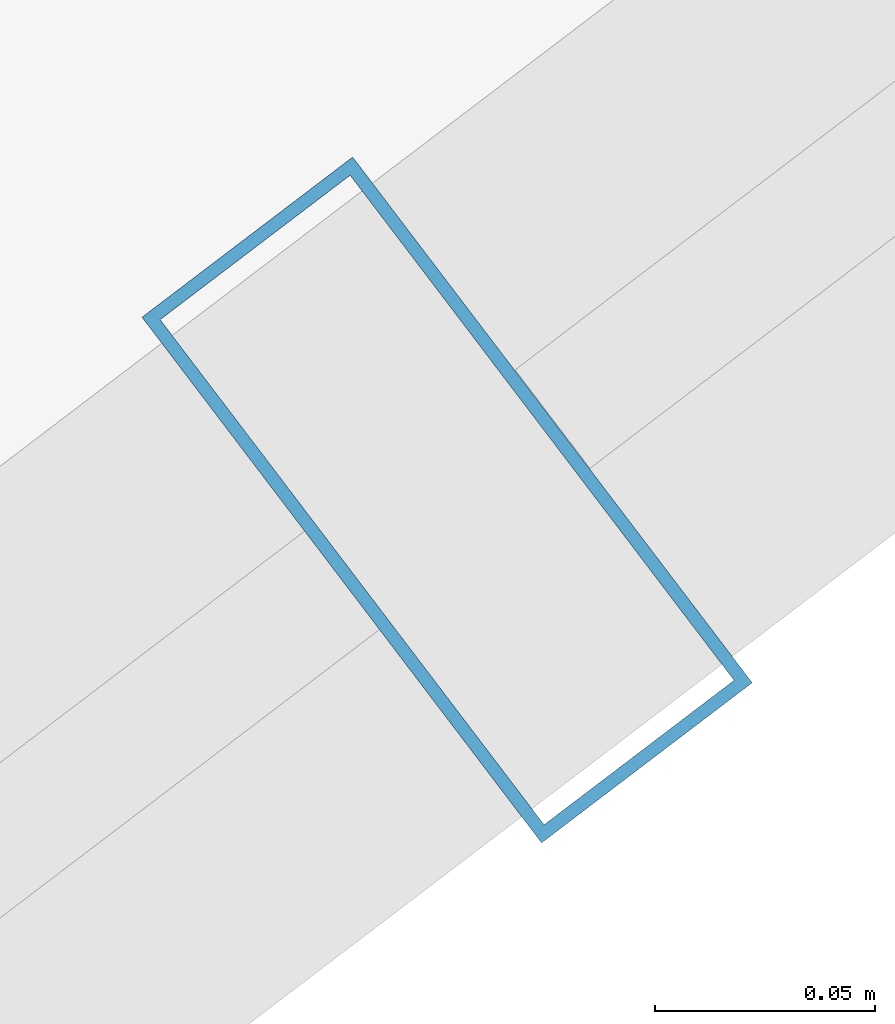
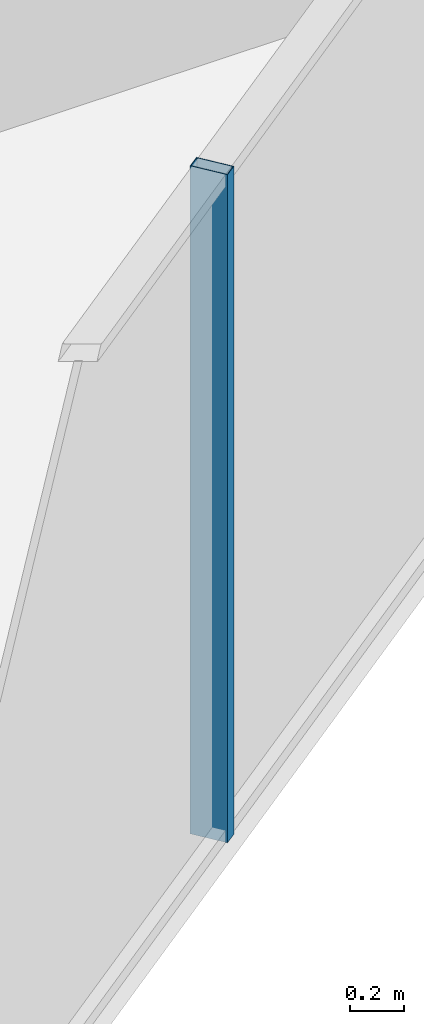
# One storey, part 8 of 32: 1 member, 1 element without a shape of its own.
"""IFC4 building model written with IfcOpenShell, lengths in metres."""

from ifc_helpers import new_model, si_unit, direction, frame, origin, origin_2d, place, context, subcontext, project, spatial, hollow_rectangle, extrude, source, transform, mapped, material, layer, layer_set, material_profile, profile_set, type_object, element, aggregate, save


model = new_model("IFC4")

# Units and contexts
model_context = context("Model", 3, precision=1e-05, world=origin(), true_north=direction((0.0, 1.0)))
body_context = subcontext(model_context, "Body", "Model", "MODEL_VIEW")
ifc_project = project(units=[si_unit("LENGTHUNIT", "METRE"), si_unit("AREAUNIT", "SQUARE_METRE"), si_unit("VOLUMEUNIT", "CUBIC_METRE"), si_unit("PLANEANGLEUNIT", "RADIAN"), si_unit("MASSUNIT", "GRAM", prefix="KILO")], contexts=[model_context])

# Site, building, storey
site_placement = place(None, origin())
site = spatial("IfcSite", under=ifc_project, at=site_placement, CompositionType="ELEMENT")
building_placement = place(site_placement, origin())
building = spatial("IfcBuilding", under=site, at=building_placement, Name="Veraguas Prism Commons", CompositionType="ELEMENT")
storey_placement = place(building_placement, frame((0.0, 0.0, 182.10009765625)))
storey = spatial("IfcBuildingStorey", under=building, at=storey_placement, Name="L51", CompositionType="ELEMENT", Elevation=182.10009765625)

# Curtain wall, member
ifc_material = material(Name="Anodised aluminium EN AW-6063 T6", Category="aluminium")
ifc_layer = layer(ifc_material, 0.14990234375, Name="Unitised Flush Curtain Wall Zone 3", Category="aluminium")
ifc_layer_set = layer_set([ifc_layer], Name="Anodised aluminium EN AW-6063 T6")
curtain_wall_type = type_object("IfcCurtainWallType", Name="Unitised Flush Curtain Wall Zone 3", PredefinedType="NOTDEFINED", material=ifc_layer_set)
curtain_wall_placement = place(storey_placement, origin())
curtain_wall = element("IfcCurtainWall", 1, at=curtain_wall_placement, inside=storey, type_object=curtain_wall_type, Name="Tower Facade Curtain Wall L51-F5", PredefinedType="NOTDEFINED")
ifc_material_profile = material_profile(ifc_material, hollow_rectangle(XDim=0.06005859375, YDim=0.14990234375, WallThickness=0.0029296875, at=origin_2d()), Name="AL60X150X3")
ifc_profile_set = profile_set([ifc_material_profile], Name="Anodised aluminium EN AW-6063 T6")
member_type = type_object("IfcMemberType", Name="Curtain Wall Mullion Upper AL 60x150x3", PredefinedType="MULLION", material=ifc_profile_set)
shared_shape = source(origin(), body_context, "Body", "SweptSolid", [
    extrude(hollow_rectangle(XDim=0.06005859375, YDim=0.14990234375, WallThickness=0.0029296875, at=origin_2d()), origin(), (0.0, 0.0, 1.0), 3.014892578125),
])
member_placement = place(storey_placement, frame((34.71728515625, 9.900634765625, 0.0), z_axis=(0.0, 0.0, 1.0), x_axis=(0.796104465545, 0.605159218668, 0.0)))
member = element("IfcMember", 2, at=member_placement, type_object=member_type, Name="CW-Z3 Mullion 3", PredefinedType="MULLION", context=body_context, shape_type="MappedRepresentation", body=[
    mapped(shared_shape, transform((0.0, 0.0, 0.0), scale=1.0)),
])
aggregate(curtain_wall, [member])

save(model, "model.ifc")
